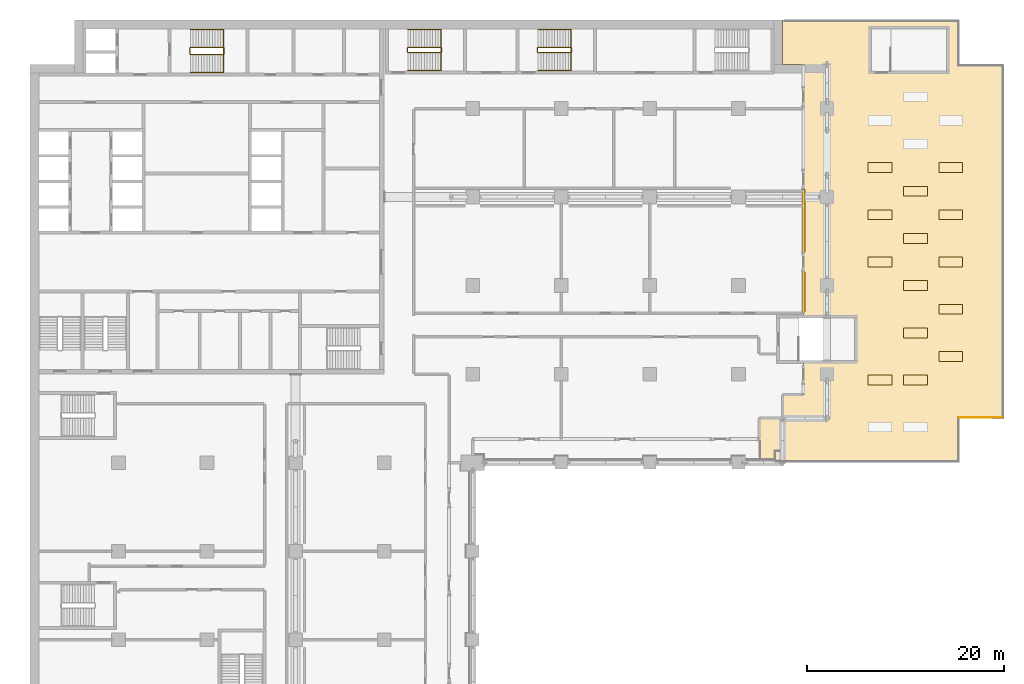
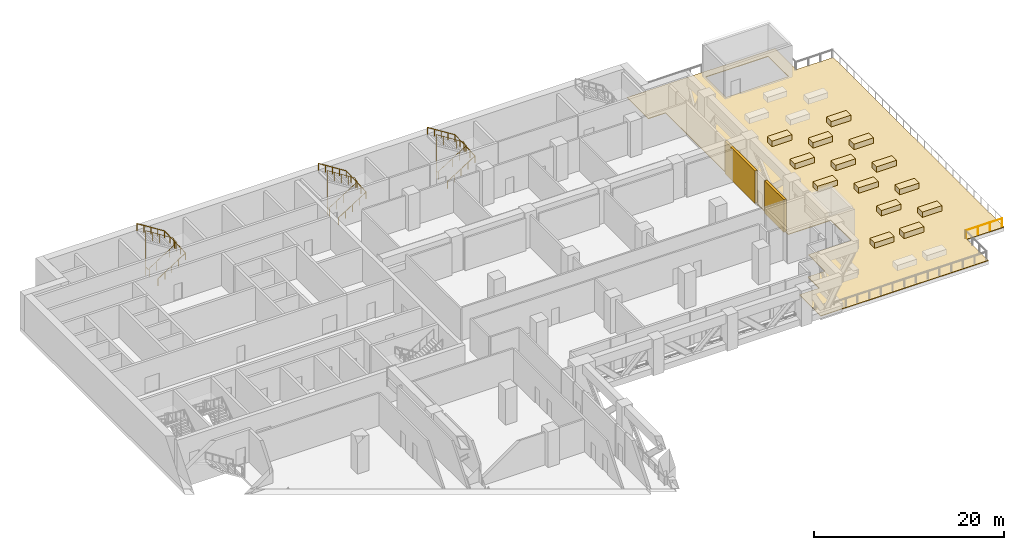
# One storey, part 23 of 24: 15 coverings, 7 railings, 2 shading devices.
"""IFC4 building model written with IfcOpenShell, lengths in metres."""

from ifc_helpers import new_model, si_unit, direction, frame, origin, origin_2d, place, context, subcontext, project, spatial, polyline, rectangle, circle, outline, extrude, material, layer, layer_set, type_object, element, save


model = new_model("IFC4")

# Units and contexts
model_context = context("Model", 3, precision=1e-05, world=origin(), true_north=direction((0.0, 1.0)))
body_context = subcontext(model_context, "Body", "Model", "MODEL_VIEW")
ifc_project = project(units=[si_unit("LENGTHUNIT", "METRE"), si_unit("AREAUNIT", "SQUARE_METRE"), si_unit("VOLUMEUNIT", "CUBIC_METRE"), si_unit("PLANEANGLEUNIT", "RADIAN"), si_unit("MASSUNIT", "GRAM", prefix="KILO")], contexts=[model_context])

# Site, building, storey
site_placement = place(None, origin())
site = spatial("IfcSite", under=ifc_project, at=site_placement, CompositionType="ELEMENT")
building_placement = place(site_placement, origin())
building = spatial("IfcBuilding", under=site, at=building_placement, Name="Hunhe Ridgeline Campus", CompositionType="ELEMENT")
storey_placement = place(building_placement, frame((0.0, 0.0, 80.199951171875)))
storey = spatial("IfcBuildingStorey", under=building, at=storey_placement, Name="L19", CompositionType="ELEMENT", Elevation=80.199951171875)

# Railing
ifc_material_1 = material(Name="Steel Q355", Category="steel")
railing_type_1 = type_object("IfcRailingType", Name="Loggia guard 1100 Steel Q355", PredefinedType="GUARDRAIL", material=ifc_material_1)
railing_1_placement = place(storey_placement, frame((98.840087890625, 58.6201171875, 0.080078125)))
element("IfcRailing", 1, at=railing_1_placement, inside=storey, type_object=railing_type_1, Name="Terrace guard 6", PredefinedType="GUARDRAIL", context=body_context, shape_type="SweptSolid", body=[
    extrude(circle(Radius=0.02392578125, at=origin_2d()), frame((0.0, 0.0, 1.076171875), z_axis=(-0.999999993897, -0.000110478925, 0.0), x_axis=(0.000110478925, -0.999999993897, 0.0)), (0.0, 0.0, 1.0), 4.419677734375),
    extrude(circle(Radius=0.02099609375, at=origin_2d()), origin(), (0.0, 0.0, 1.0), 1.052001953125),
    extrude(circle(Radius=0.02099609375, at=origin_2d()), frame((-1.47314453125, -0.000244140625, 0.0)), (0.0, 0.0, 1.0), 1.052001953125),
    extrude(circle(Radius=0.02099609375, at=origin_2d()), frame((-2.946533203125, -0.000244140625, 0.0)), (0.0, 0.0, 1.0), 1.052001953125),
    extrude(circle(Radius=0.02099609375, at=origin_2d()), frame((-4.419677734375, -0.00048828125, 0.0)), (0.0, 0.0, 1.0), 1.052001953125),
])

# Shading devices
ifc_material_2 = material(Name="Aluminium 6063", Category="aluminium")
ifc_layer_1 = layer(ifc_material_2, 0.300048828125)
ifc_layer_set_1 = layer_set([ifc_layer_1], Name="Louvre bank 300 Aluminium 6063")
shading_device_type = type_object("IfcShadingDeviceType", Name="Louvre bank 300 Aluminium 6063", PredefinedType="USERDEFINED", material=ifc_layer_set_1)
shading_device_1_placement = place(storey_placement, frame((78.59912109375, 71.350341796875, 0.0), z_axis=(0.0, 0.0, 1.0), x_axis=(0.0, 1.0, 0.0)))
element("IfcShadingDevice", 2, at=shading_device_1_placement, inside=storey, type_object=shading_device_type, Name="Louvre bank 26", ObjectType="LOUVRE", PredefinedType="USERDEFINED", context=body_context, shape_type="SweptSolid", body=[
    extrude(rectangle(XDim=4.060546875, YDim=0.300048828125, at=origin_2d()), origin(), (0.0, 0.0, 1.0), 4.199951171875),
])
shading_device_2_placement = place(storey_placement, frame((78.59912109375, 78.6005859375, 0.0), z_axis=(0.0, 0.0, 1.0), x_axis=(0.0, 1.0, 0.0)))
element("IfcShadingDevice", 3, at=shading_device_2_placement, inside=storey, type_object=shading_device_type, Name="Louvre bank 27", ObjectType="LOUVRE", PredefinedType="USERDEFINED", context=body_context, shape_type="SweptSolid", body=[
    extrude(rectangle(XDim=6.35986328125, YDim=0.300048828125, at=origin_2d()), origin(), (0.0, 0.0, 1.0), 4.199951171875),
])

# Coverings
ifc_material_3 = material(Name="Planting soil")
covering_type_1 = type_object("IfcCoveringType", Name="Planter box 700 planting soil", PredefinedType="USERDEFINED", material=ifc_material_3)
covering_1_placement = place(storey_placement, frame((0.0, 0.0, 0.080078125)))
element("IfcCovering", 4, at=covering_1_placement, inside=storey, type_object=covering_type_1, Name="Planter 2", ObjectType="PLANTER", PredefinedType="USERDEFINED", context=body_context, shape_type="SweptSolid", body=[
    extrude(outline(polyline([(85.199951171875, 61.89990234375), (87.60009765625, 61.89990234375), (87.60009765625, 62.89990234375), (85.199951171875, 62.89990234375), (85.199951171875, 61.89990234375)])), origin(), (0.0, 0.0, 1.0), 0.699951171875),
])
covering_2_placement = place(storey_placement, frame((0.0, 0.0, 0.080078125)))
element("IfcCovering", 5, at=covering_2_placement, inside=storey, type_object=covering_type_1, Name="Planter 3", ObjectType="PLANTER", PredefinedType="USERDEFINED", context=body_context, shape_type="SweptSolid", body=[
    extrude(outline(polyline([(85.199951171875, 73.89990234375), (87.60009765625, 73.89990234375), (87.60009765625, 74.89990234375), (85.199951171875, 74.89990234375), (85.199951171875, 73.89990234375)])), origin(), (0.0, 0.0, 1.0), 0.699951171875),
])
covering_3_placement = place(storey_placement, frame((0.0, 0.0, 0.080078125)))
element("IfcCovering", 6, at=covering_3_placement, inside=storey, type_object=covering_type_1, Name="Planter 4", ObjectType="PLANTER", PredefinedType="USERDEFINED", context=body_context, shape_type="SweptSolid", body=[
    extrude(outline(polyline([(85.199951171875, 78.699951171875), (87.60009765625, 78.699951171875), (87.60009765625, 79.699951171875), (85.199951171875, 79.699951171875), (85.199951171875, 78.699951171875)])), origin(), (0.0, 0.0, 1.0), 0.699951171875),
])
covering_4_placement = place(storey_placement, frame((0.0, 0.0, 0.080078125)))
element("IfcCovering", 7, at=covering_4_placement, inside=storey, type_object=covering_type_1, Name="Planter 5", ObjectType="PLANTER", PredefinedType="USERDEFINED", context=body_context, shape_type="SweptSolid", body=[
    extrude(outline(polyline([(85.199951171875, 83.5), (87.60009765625, 83.5), (87.60009765625, 84.5), (85.199951171875, 84.5), (85.199951171875, 83.5)])), origin(), (0.0, 0.0, 1.0), 0.699951171875),
])
covering_5_placement = place(storey_placement, frame((0.0, 0.0, 0.080078125)))
element("IfcCovering", 8, at=covering_5_placement, inside=storey, type_object=covering_type_1, Name="Planter 8", ObjectType="PLANTER", PredefinedType="USERDEFINED", context=body_context, shape_type="SweptSolid", body=[
    extrude(outline(polyline([(88.800048828125, 61.89990234375), (91.199951171875, 61.89990234375), (91.199951171875, 62.89990234375), (88.800048828125, 62.89990234375), (88.800048828125, 61.89990234375)])), origin(), (0.0, 0.0, 1.0), 0.699951171875),
])
covering_6_placement = place(storey_placement, frame((0.0, 0.0, 0.080078125)))
element("IfcCovering", 9, at=covering_6_placement, inside=storey, type_object=covering_type_1, Name="Planter 9", ObjectType="PLANTER", PredefinedType="USERDEFINED", context=body_context, shape_type="SweptSolid", body=[
    extrude(outline(polyline([(88.800048828125, 66.699951171875), (91.199951171875, 66.699951171875), (91.199951171875, 67.699951171875), (88.800048828125, 67.699951171875), (88.800048828125, 66.699951171875)])), origin(), (0.0, 0.0, 1.0), 0.699951171875),
])
covering_7_placement = place(storey_placement, frame((0.0, 0.0, 0.080078125)))
element("IfcCovering", 10, at=covering_7_placement, inside=storey, type_object=covering_type_1, Name="Planter 10", ObjectType="PLANTER", PredefinedType="USERDEFINED", context=body_context, shape_type="SweptSolid", body=[
    extrude(outline(polyline([(88.800048828125, 71.5), (91.199951171875, 71.5), (91.199951171875, 72.5), (88.800048828125, 72.5), (88.800048828125, 71.5)])), origin(), (0.0, 0.0, 1.0), 0.699951171875),
])
covering_8_placement = place(storey_placement, frame((0.0, 0.0, 0.080078125)))
element("IfcCovering", 11, at=covering_8_placement, inside=storey, type_object=covering_type_1, Name="Planter 11", ObjectType="PLANTER", PredefinedType="USERDEFINED", context=body_context, shape_type="SweptSolid", body=[
    extrude(outline(polyline([(88.800048828125, 76.300048828125), (91.199951171875, 76.300048828125), (91.199951171875, 77.300048828125), (88.800048828125, 77.300048828125), (88.800048828125, 76.300048828125)])), origin(), (0.0, 0.0, 1.0), 0.699951171875),
])
covering_9_placement = place(storey_placement, frame((0.0, 0.0, 0.080078125)))
element("IfcCovering", 12, at=covering_9_placement, inside=storey, type_object=covering_type_1, Name="Planter 12", ObjectType="PLANTER", PredefinedType="USERDEFINED", context=body_context, shape_type="SweptSolid", body=[
    extrude(outline(polyline([(88.800048828125, 81.10009765625), (91.199951171875, 81.10009765625), (91.199951171875, 82.10009765625), (88.800048828125, 82.10009765625), (88.800048828125, 81.10009765625)])), origin(), (0.0, 0.0, 1.0), 0.699951171875),
])
covering_10_placement = place(storey_placement, frame((0.0, 0.0, 0.080078125)))
element("IfcCovering", 13, at=covering_10_placement, inside=storey, type_object=covering_type_1, Name="Planter 15", ObjectType="PLANTER", PredefinedType="USERDEFINED", context=body_context, shape_type="SweptSolid", body=[
    extrude(outline(polyline([(92.39990234375, 64.300048828125), (94.800048828125, 64.300048828125), (94.800048828125, 65.300048828125), (92.39990234375, 65.300048828125), (92.39990234375, 64.300048828125)])), origin(), (0.0, 0.0, 1.0), 0.699951171875),
])
covering_11_placement = place(storey_placement, frame((0.0, 0.0, 0.080078125)))
element("IfcCovering", 14, at=covering_11_placement, inside=storey, type_object=covering_type_1, Name="Planter 16", ObjectType="PLANTER", PredefinedType="USERDEFINED", context=body_context, shape_type="SweptSolid", body=[
    extrude(outline(polyline([(92.39990234375, 69.10009765625), (94.800048828125, 69.10009765625), (94.800048828125, 70.10009765625), (92.39990234375, 70.10009765625), (92.39990234375, 69.10009765625)])), origin(), (0.0, 0.0, 1.0), 0.699951171875),
])
covering_12_placement = place(storey_placement, frame((0.0, 0.0, 0.080078125)))
element("IfcCovering", 15, at=covering_12_placement, inside=storey, type_object=covering_type_1, Name="Planter 17", ObjectType="PLANTER", PredefinedType="USERDEFINED", context=body_context, shape_type="SweptSolid", body=[
    extrude(outline(polyline([(92.39990234375, 73.89990234375), (94.800048828125, 73.89990234375), (94.800048828125, 74.89990234375), (92.39990234375, 74.89990234375), (92.39990234375, 73.89990234375)])), origin(), (0.0, 0.0, 1.0), 0.699951171875),
])
covering_13_placement = place(storey_placement, frame((0.0, 0.0, 0.080078125)))
element("IfcCovering", 16, at=covering_13_placement, inside=storey, type_object=covering_type_1, Name="Planter 18", ObjectType="PLANTER", PredefinedType="USERDEFINED", context=body_context, shape_type="SweptSolid", body=[
    extrude(outline(polyline([(92.39990234375, 78.699951171875), (94.800048828125, 78.699951171875), (94.800048828125, 79.699951171875), (92.39990234375, 79.699951171875), (92.39990234375, 78.699951171875)])), origin(), (0.0, 0.0, 1.0), 0.699951171875),
])
covering_14_placement = place(storey_placement, frame((0.0, 0.0, 0.080078125)))
element("IfcCovering", 17, at=covering_14_placement, inside=storey, type_object=covering_type_1, Name="Planter 19", ObjectType="PLANTER", PredefinedType="USERDEFINED", context=body_context, shape_type="SweptSolid", body=[
    extrude(outline(polyline([(92.39990234375, 83.5), (94.800048828125, 83.5), (94.800048828125, 84.5), (92.39990234375, 84.5), (92.39990234375, 83.5)])), origin(), (0.0, 0.0, 1.0), 0.699951171875),
])

# Railings
ifc_material_4 = material(Name="Stainless steel balustrade", Category="steel")
railing_type_2 = type_object("IfcRailingType", Name="Stair guard 1100 stainless", PredefinedType="GUARDRAIL", material=ifc_material_4)
railing_2_placement = place(storey_placement, frame((16.300048828125, 95.5, 0.177001953125)))
element("IfcRailing", 18, at=railing_2_placement, inside=storey, type_object=railing_type_2, Name="L19 stair S1 guard", PredefinedType="GUARDRAIL", context=body_context, shape_type="SweptSolid", body=[
    extrude(circle(Radius=0.02392578125, at=origin_2d()), frame((0.0, 0.0, 1.076171875), z_axis=(0.845372108799, 0.0, 0.534177870812), x_axis=(0.0, 1.0, 0.0)), (0.0, 0.0, 1.0), 3.974365234375),
    extrude(circle(Radius=0.02392578125, at=origin_2d()), frame((3.35986328125, 0.0, 3.19921875), z_axis=(0.707106781187, 0.707106781187, 0.0), x_axis=(-0.707106781187, 0.707106781187, 0.0)), (0.0, 0.0, 1.0), 0.07080078125),
    extrude(circle(Radius=0.02392578125, at=origin_2d()), frame((3.409912109375, 0.050048828125, 3.19921875), z_axis=(0.0, 1.0, 0.0), x_axis=(-1.0, 0.0, 0.0)), (0.0, 0.0, 1.0), 0.599853515625),
    extrude(circle(Radius=0.02392578125, at=origin_2d()), frame((3.409912109375, 0.64990234375, 3.19921875), z_axis=(-0.262545553595, 0.262545553595, 0.928514762713), x_axis=(-0.707106781187, -0.707106781187, 0.0)), (0.0, 0.0, 1.0), 0.190673828125),
    extrude(circle(Radius=0.02392578125, at=origin_2d()), frame((3.35986328125, 0.699951171875, 3.3759765625), z_axis=(-0.845372108799, 0.0, 0.534177870812), x_axis=(0.0, -1.0, 0.0)), (0.0, 0.0, 1.0), 3.974365234375),
    extrude(circle(Radius=0.02392578125, at=origin_2d()), frame((0.0, 0.699951171875, 5.4990234375), z_axis=(-0.010878661383, -0.010878661383, -0.999881647723), x_axis=(0.707106781187, -0.707106781187, 0.0)), (0.0, 0.0, 1.0), 4.6005859375),
    extrude(circle(Radius=0.02392578125, at=origin_2d()), frame((-0.050048828125, 0.64990234375, 0.89892578125), z_axis=(0.0, -1.0, 0.0), x_axis=(1.0, 0.0, 0.0)), (0.0, 0.0, 1.0), 0.599853515625),
    extrude(circle(Radius=0.02099609375, at=origin_2d()), origin(), (0.0, 0.0, 1.0), 1.052001953125),
    extrude(circle(Radius=0.02099609375, at=origin_2d()), frame((0.83984375, 0.0, 0.53076171875)), (0.0, 0.0, 1.0), 1.052001953125),
    extrude(circle(Radius=0.02099609375, at=origin_2d()), frame((1.679931640625, 0.0, 1.0615234375)), (0.0, 0.0, 1.0), 1.052001953125),
    extrude(circle(Radius=0.02099609375, at=origin_2d()), frame((2.52001953125, 0.0, 1.59228515625)), (0.0, 0.0, 1.0), 1.052001953125),
    extrude(circle(Radius=0.02099609375, at=origin_2d()), frame((3.35986328125, 0.0, 2.123046875)), (0.0, 0.0, 1.0), 1.052001953125),
    extrude(circle(Radius=0.02099609375, at=origin_2d()), frame((3.409912109375, 0.050048828125, 2.123046875)), (0.0, 0.0, 1.0), 1.052001953125),
    extrude(circle(Radius=0.02099609375, at=origin_2d()), frame((3.409912109375, 0.64990234375, 2.123046875)), (0.0, 0.0, 1.0), 1.052001953125),
    extrude(circle(Radius=0.02099609375, at=origin_2d()), frame((3.35986328125, 0.699951171875, 2.300048828125)), (0.0, 0.0, 1.0), 1.052001953125),
    extrude(circle(Radius=0.02099609375, at=origin_2d()), frame((2.52001953125, 0.699951171875, 2.830810546875)), (0.0, 0.0, 1.0), 1.052001953125),
    extrude(circle(Radius=0.02099609375, at=origin_2d()), frame((1.679931640625, 0.699951171875, 3.361572265625)), (0.0, 0.0, 1.0), 1.052001953125),
    extrude(circle(Radius=0.02099609375, at=origin_2d()), frame((0.83984375, 0.699951171875, 3.892333984375)), (0.0, 0.0, 1.0), 1.052001953125),
    extrude(circle(Radius=0.02099609375, at=origin_2d()), frame((0.0, 0.699951171875, 4.423095703125)), (0.0, 0.0, 1.0), 1.052001953125),
    extrude(circle(Radius=0.02099609375, at=origin_2d()), frame((-0.012451171875, 0.6875, 3.27294921875)), (0.0, 0.0, 1.0), 1.052001953125),
    extrude(circle(Radius=0.02099609375, at=origin_2d()), frame((-0.02490234375, 0.6748046875, 2.123046875)), (0.0, 0.0, 1.0), 1.052001953125),
    extrude(circle(Radius=0.02099609375, at=origin_2d()), frame((-0.03759765625, 0.662353515625, 0.97314453125)), (0.0, 0.0, 1.0), 1.052001953125),
    extrude(circle(Radius=0.02099609375, at=origin_2d()), frame((-0.050048828125, 0.64990234375, -0.177001953125)), (0.0, 0.0, 1.0), 1.052001953125),
    extrude(circle(Radius=0.02099609375, at=origin_2d()), frame((-0.050048828125, 0.050048828125, -0.177001953125)), (0.0, 0.0, 1.0), 1.052001953125),
])
railing_3_placement = place(storey_placement, frame((38.39990234375, 95.699951171875, 0.177001953125)))
element("IfcRailing", 19, at=railing_3_placement, inside=storey, type_object=railing_type_2, Name="L19 stair E1 guard", PredefinedType="GUARDRAIL", context=body_context, shape_type="SweptSolid", body=[
    extrude(circle(Radius=0.02392578125, at=origin_2d()), frame((0.0, 0.0, 1.076171875), z_axis=(0.845389635667, 0.0, 0.534150132366), x_axis=(0.0, 1.0, 0.0)), (0.0, 0.0, 1.0), 3.974609375),
    extrude(circle(Radius=0.02392578125, at=origin_2d()), frame((3.360107421875, 0.0, 3.19921875), z_axis=(0.707106781187, 0.707106781187, 0.0), x_axis=(-0.707106781187, 0.707106781187, 0.0)), (0.0, 0.0, 1.0), 0.07080078125),
    extrude(circle(Radius=0.02392578125, at=origin_2d()), frame((3.41015625, 0.050048828125, 3.19921875), z_axis=(0.0, 1.0, 0.0), x_axis=(-1.0, 0.0, 0.0)), (0.0, 0.0, 1.0), 0.39990234375),
    extrude(circle(Radius=0.02392578125, at=origin_2d()), frame((3.41015625, 0.449951171875, 3.19921875), z_axis=(-0.262545553595, 0.262545553595, 0.928514762713), x_axis=(-0.707106781187, -0.707106781187, 0.0)), (0.0, 0.0, 1.0), 0.190673828125),
    extrude(circle(Radius=0.02392578125, at=origin_2d()), frame((3.360107421875, 0.5, 3.3759765625), z_axis=(-0.845389635667, 0.0, 0.534150132366), x_axis=(0.0, -1.0, 0.0)), (0.0, 0.0, 1.0), 3.974609375),
    extrude(circle(Radius=0.02392578125, at=origin_2d()), frame((0.0, 0.5, 5.4990234375), z_axis=(-0.010825600977, -0.010878667648, -0.999882223541), x_axis=(0.708833529934, -0.705375805398, 0.0)), (0.0, 0.0, 1.0), 4.6005859375),
    extrude(circle(Radius=0.02392578125, at=origin_2d()), frame((-0.0498046875, 0.449951171875, 0.89892578125), z_axis=(0.0, -1.0, 0.0), x_axis=(1.0, 0.0, 0.0)), (0.0, 0.0, 1.0), 0.39990234375),
    extrude(circle(Radius=0.02099609375, at=origin_2d()), origin(), (0.0, 0.0, 1.0), 1.052001953125),
    extrude(circle(Radius=0.02099609375, at=origin_2d()), frame((0.840087890625, 0.0, 0.53076171875)), (0.0, 0.0, 1.0), 1.052001953125),
    extrude(circle(Radius=0.02099609375, at=origin_2d()), frame((1.68017578125, 0.0, 1.0615234375)), (0.0, 0.0, 1.0), 1.052001953125),
    extrude(circle(Radius=0.02099609375, at=origin_2d()), frame((2.52001953125, 0.0, 1.59228515625)), (0.0, 0.0, 1.0), 1.052001953125),
    extrude(circle(Radius=0.02099609375, at=origin_2d()), frame((3.360107421875, 0.0, 2.123046875)), (0.0, 0.0, 1.0), 1.052001953125),
    extrude(circle(Radius=0.02099609375, at=origin_2d()), frame((3.41015625, 0.050048828125, 2.123046875)), (0.0, 0.0, 1.0), 1.052001953125),
    extrude(circle(Radius=0.02099609375, at=origin_2d()), frame((3.41015625, 0.449951171875, 2.123046875)), (0.0, 0.0, 1.0), 1.052001953125),
    extrude(circle(Radius=0.02099609375, at=origin_2d()), frame((3.360107421875, 0.5, 2.300048828125)), (0.0, 0.0, 1.0), 1.052001953125),
    extrude(circle(Radius=0.02099609375, at=origin_2d()), frame((2.52001953125, 0.5, 2.830810546875)), (0.0, 0.0, 1.0), 1.052001953125),
    extrude(circle(Radius=0.02099609375, at=origin_2d()), frame((1.68017578125, 0.5, 3.361572265625)), (0.0, 0.0, 1.0), 1.052001953125),
    extrude(circle(Radius=0.02099609375, at=origin_2d()), frame((0.840087890625, 0.5, 3.892333984375)), (0.0, 0.0, 1.0), 1.052001953125),
    extrude(circle(Radius=0.02099609375, at=origin_2d()), frame((0.0, 0.5, 4.423095703125)), (0.0, 0.0, 1.0), 1.052001953125),
    extrude(circle(Radius=0.02099609375, at=origin_2d()), frame((-0.012451171875, 0.487548828125, 3.27294921875)), (0.0, 0.0, 1.0), 1.052001953125),
    extrude(circle(Radius=0.02099609375, at=origin_2d()), frame((-0.02490234375, 0.47509765625, 2.123046875)), (0.0, 0.0, 1.0), 1.052001953125),
    extrude(circle(Radius=0.02099609375, at=origin_2d()), frame((-0.037353515625, 0.46240234375, 0.97314453125)), (0.0, 0.0, 1.0), 1.052001953125),
    extrude(circle(Radius=0.02099609375, at=origin_2d()), frame((-0.0498046875, 0.449951171875, -0.177001953125)), (0.0, 0.0, 1.0), 1.052001953125),
    extrude(circle(Radius=0.02099609375, at=origin_2d()), frame((-0.0498046875, 0.050048828125, -0.177001953125)), (0.0, 0.0, 1.0), 1.052001953125),
])
railing_4_placement = place(storey_placement, frame((51.64990234375, 95.699951171875, 0.177001953125)))
element("IfcRailing", 20, at=railing_4_placement, inside=storey, type_object=railing_type_2, Name="L19 stair E2 guard", PredefinedType="GUARDRAIL", context=body_context, shape_type="SweptSolid", body=[
    extrude(circle(Radius=0.02392578125, at=origin_2d()), frame((0.0, 0.0, 1.076171875), z_axis=(0.845389635667, 0.0, 0.534150132366), x_axis=(0.0, 1.0, 0.0)), (0.0, 0.0, 1.0), 3.974609375),
    extrude(circle(Radius=0.02392578125, at=origin_2d()), frame((3.360107421875, 0.0, 3.19921875), z_axis=(0.707106781187, 0.707106781187, 0.0), x_axis=(-0.707106781187, 0.707106781187, 0.0)), (0.0, 0.0, 1.0), 0.07080078125),
    extrude(circle(Radius=0.02392578125, at=origin_2d()), frame((3.41015625, 0.050048828125, 3.19921875), z_axis=(0.0, 1.0, 0.0), x_axis=(-1.0, 0.0, 0.0)), (0.0, 0.0, 1.0), 0.39990234375),
    extrude(circle(Radius=0.02392578125, at=origin_2d()), frame((3.41015625, 0.449951171875, 3.19921875), z_axis=(-0.262545553595, 0.262545553595, 0.928514762713), x_axis=(-0.707106781187, -0.707106781187, 0.0)), (0.0, 0.0, 1.0), 0.190673828125),
    extrude(circle(Radius=0.02392578125, at=origin_2d()), frame((3.360107421875, 0.5, 3.3759765625), z_axis=(-0.845389635667, 0.0, 0.534150132366), x_axis=(0.0, -1.0, 0.0)), (0.0, 0.0, 1.0), 3.974609375),
    extrude(circle(Radius=0.02392578125, at=origin_2d()), frame((0.0, 0.5, 5.4990234375), z_axis=(-0.010825600977, -0.010878667648, -0.999882223541), x_axis=(0.708833529934, -0.705375805398, 0.0)), (0.0, 0.0, 1.0), 4.6005859375),
    extrude(circle(Radius=0.02392578125, at=origin_2d()), frame((-0.0498046875, 0.449951171875, 0.89892578125), z_axis=(0.0, -1.0, 0.0), x_axis=(1.0, 0.0, 0.0)), (0.0, 0.0, 1.0), 0.39990234375),
    extrude(circle(Radius=0.02099609375, at=origin_2d()), origin(), (0.0, 0.0, 1.0), 1.052001953125),
    extrude(circle(Radius=0.02099609375, at=origin_2d()), frame((0.840087890625, 0.0, 0.53076171875)), (0.0, 0.0, 1.0), 1.052001953125),
    extrude(circle(Radius=0.02099609375, at=origin_2d()), frame((1.68017578125, 0.0, 1.0615234375)), (0.0, 0.0, 1.0), 1.052001953125),
    extrude(circle(Radius=0.02099609375, at=origin_2d()), frame((2.52001953125, 0.0, 1.59228515625)), (0.0, 0.0, 1.0), 1.052001953125),
    extrude(circle(Radius=0.02099609375, at=origin_2d()), frame((3.360107421875, 0.0, 2.123046875)), (0.0, 0.0, 1.0), 1.052001953125),
    extrude(circle(Radius=0.02099609375, at=origin_2d()), frame((3.41015625, 0.050048828125, 2.123046875)), (0.0, 0.0, 1.0), 1.052001953125),
    extrude(circle(Radius=0.02099609375, at=origin_2d()), frame((3.41015625, 0.449951171875, 2.123046875)), (0.0, 0.0, 1.0), 1.052001953125),
    extrude(circle(Radius=0.02099609375, at=origin_2d()), frame((3.360107421875, 0.5, 2.300048828125)), (0.0, 0.0, 1.0), 1.052001953125),
    extrude(circle(Radius=0.02099609375, at=origin_2d()), frame((2.52001953125, 0.5, 2.830810546875)), (0.0, 0.0, 1.0), 1.052001953125),
    extrude(circle(Radius=0.02099609375, at=origin_2d()), frame((1.68017578125, 0.5, 3.361572265625)), (0.0, 0.0, 1.0), 1.052001953125),
    extrude(circle(Radius=0.02099609375, at=origin_2d()), frame((0.840087890625, 0.5, 3.892333984375)), (0.0, 0.0, 1.0), 1.052001953125),
    extrude(circle(Radius=0.02099609375, at=origin_2d()), frame((0.0, 0.5, 4.423095703125)), (0.0, 0.0, 1.0), 1.052001953125),
    extrude(circle(Radius=0.02099609375, at=origin_2d()), frame((-0.012451171875, 0.487548828125, 3.27294921875)), (0.0, 0.0, 1.0), 1.052001953125),
    extrude(circle(Radius=0.02099609375, at=origin_2d()), frame((-0.02490234375, 0.47509765625, 2.123046875)), (0.0, 0.0, 1.0), 1.052001953125),
    extrude(circle(Radius=0.02099609375, at=origin_2d()), frame((-0.037353515625, 0.46240234375, 0.97314453125)), (0.0, 0.0, 1.0), 1.052001953125),
    extrude(circle(Radius=0.02099609375, at=origin_2d()), frame((-0.0498046875, 0.449951171875, -0.177001953125)), (0.0, 0.0, 1.0), 1.052001953125),
    extrude(circle(Radius=0.02099609375, at=origin_2d()), frame((-0.0498046875, 0.050048828125, -0.177001953125)), (0.0, 0.0, 1.0), 1.052001953125),
])
ifc_material_5 = material(Name="Stainless steel handrail", Category="steel")
railing_type_3 = type_object("IfcRailingType", Name="Stair handrail 900 stainless", PredefinedType="HANDRAIL", material=ifc_material_5)
railing_5_placement = place(storey_placement, frame((16.300048828125, 93.64990234375, 0.177001953125)))
element("IfcRailing", 21, at=railing_5_placement, inside=storey, type_object=railing_type_3, Name="L19 stair S1 handrail", PredefinedType="HANDRAIL", context=body_context, shape_type="SweptSolid", body=[
    extrude(circle(Radius=0.02392578125, at=origin_2d()), frame((0.0, 0.0, 0.8759765625), z_axis=(0.845372108799, 0.0, 0.534177870812), x_axis=(0.0, 1.0, 0.0)), (0.0, 0.0, 1.0), 3.974365234375),
    extrude(circle(Radius=0.02392578125, at=origin_2d()), frame((3.35986328125, 0.0, 2.9990234375), z_axis=(0.0, 0.999191899876, 0.040193870466), x_axis=(-1.0, 0.0, 0.0)), (0.0, 0.0, 1.0), 4.40380859375),
    extrude(circle(Radius=0.02392578125, at=origin_2d()), frame((3.35986328125, 4.400146484375, 3.17578125), z_axis=(-0.845372108799, 0.0, 0.534177870812), x_axis=(0.0, -1.0, 0.0)), (0.0, 0.0, 1.0), 3.974365234375),
    extrude(circle(Radius=0.02099609375, at=origin_2d()), origin(), (0.0, 0.0, 1.0), 0.851806640625),
    extrude(circle(Radius=0.02099609375, at=origin_2d()), frame((0.83984375, 0.0, 0.53076171875)), (0.0, 0.0, 1.0), 0.851806640625),
    extrude(circle(Radius=0.02099609375, at=origin_2d()), frame((1.679931640625, 0.0, 1.0615234375)), (0.0, 0.0, 1.0), 0.851806640625),
    extrude(circle(Radius=0.02099609375, at=origin_2d()), frame((2.52001953125, 0.0, 1.59228515625)), (0.0, 0.0, 1.0), 0.851806640625),
    extrude(circle(Radius=0.02099609375, at=origin_2d()), frame((3.35986328125, 0.0, 2.123046875)), (0.0, 0.0, 1.0), 0.851806640625),
    extrude(circle(Radius=0.02099609375, at=origin_2d()), frame((3.35986328125, 1.10009765625, 2.167236328125)), (0.0, 0.0, 1.0), 0.851806640625),
    extrude(circle(Radius=0.02099609375, at=origin_2d()), frame((3.35986328125, 2.2001953125, 2.21142578125)), (0.0, 0.0, 1.0), 0.851806640625),
    extrude(circle(Radius=0.02099609375, at=origin_2d()), frame((3.35986328125, 3.300048828125, 2.255859375)), (0.0, 0.0, 1.0), 0.851806640625),
    extrude(circle(Radius=0.02099609375, at=origin_2d()), frame((3.35986328125, 4.400146484375, 2.300048828125)), (0.0, 0.0, 1.0), 0.851806640625),
    extrude(circle(Radius=0.02099609375, at=origin_2d()), frame((2.52001953125, 4.400146484375, 2.830810546875)), (0.0, 0.0, 1.0), 0.851806640625),
    extrude(circle(Radius=0.02099609375, at=origin_2d()), frame((1.679931640625, 4.400146484375, 3.361572265625)), (0.0, 0.0, 1.0), 0.851806640625),
    extrude(circle(Radius=0.02099609375, at=origin_2d()), frame((0.83984375, 4.400146484375, 3.892333984375)), (0.0, 0.0, 1.0), 0.851806640625),
    extrude(circle(Radius=0.02099609375, at=origin_2d()), frame((0.0, 4.400146484375, 4.423095703125)), (0.0, 0.0, 1.0), 0.851806640625),
])
railing_6_placement = place(storey_placement, frame((38.39990234375, 93.85009765625, 0.177001953125)))
element("IfcRailing", 22, at=railing_6_placement, inside=storey, type_object=railing_type_3, Name="L19 stair E1 handrail", PredefinedType="HANDRAIL", context=body_context, shape_type="SweptSolid", body=[
    extrude(circle(Radius=0.02392578125, at=origin_2d()), frame((0.0, 0.0, 0.8759765625), z_axis=(0.845389635667, 0.0, 0.534150132366), x_axis=(0.0, 1.0, 0.0)), (0.0, 0.0, 1.0), 3.974609375),
    extrude(circle(Radius=0.02392578125, at=origin_2d()), frame((3.360107421875, 0.0, 2.9990234375), z_axis=(0.0, 0.999113130752, 0.042106436075), x_axis=(-1.0, 0.0, 0.0)), (0.0, 0.0, 1.0), 4.20361328125),
    extrude(circle(Radius=0.02392578125, at=origin_2d()), frame((3.360107421875, 4.199951171875, 3.17578125), z_axis=(-0.845389635667, 0.0, 0.534150132366), x_axis=(0.0, -1.0, 0.0)), (0.0, 0.0, 1.0), 3.974609375),
    extrude(circle(Radius=0.02099609375, at=origin_2d()), origin(), (0.0, 0.0, 1.0), 0.851806640625),
    extrude(circle(Radius=0.02099609375, at=origin_2d()), frame((0.840087890625, 0.0, 0.53076171875)), (0.0, 0.0, 1.0), 0.851806640625),
    extrude(circle(Radius=0.02099609375, at=origin_2d()), frame((1.68017578125, 0.0, 1.0615234375)), (0.0, 0.0, 1.0), 0.851806640625),
    extrude(circle(Radius=0.02099609375, at=origin_2d()), frame((2.52001953125, 0.0, 1.59228515625)), (0.0, 0.0, 1.0), 0.851806640625),
    extrude(circle(Radius=0.02099609375, at=origin_2d()), frame((3.360107421875, 0.0, 2.123046875)), (0.0, 0.0, 1.0), 0.851806640625),
    extrude(circle(Radius=0.02099609375, at=origin_2d()), frame((3.360107421875, 1.050048828125, 2.167236328125)), (0.0, 0.0, 1.0), 0.851806640625),
    extrude(circle(Radius=0.02099609375, at=origin_2d()), frame((3.360107421875, 2.10009765625, 2.21142578125)), (0.0, 0.0, 1.0), 0.851806640625),
    extrude(circle(Radius=0.02099609375, at=origin_2d()), frame((3.360107421875, 3.14990234375, 2.255859375)), (0.0, 0.0, 1.0), 0.851806640625),
    extrude(circle(Radius=0.02099609375, at=origin_2d()), frame((3.360107421875, 4.199951171875, 2.300048828125)), (0.0, 0.0, 1.0), 0.851806640625),
    extrude(circle(Radius=0.02099609375, at=origin_2d()), frame((2.52001953125, 4.199951171875, 2.830810546875)), (0.0, 0.0, 1.0), 0.851806640625),
    extrude(circle(Radius=0.02099609375, at=origin_2d()), frame((1.68017578125, 4.199951171875, 3.361572265625)), (0.0, 0.0, 1.0), 0.851806640625),
    extrude(circle(Radius=0.02099609375, at=origin_2d()), frame((0.840087890625, 4.199951171875, 3.892333984375)), (0.0, 0.0, 1.0), 0.851806640625),
    extrude(circle(Radius=0.02099609375, at=origin_2d()), frame((0.0, 4.199951171875, 4.423095703125)), (0.0, 0.0, 1.0), 0.851806640625),
])
railing_7_placement = place(storey_placement, frame((51.64990234375, 93.85009765625, 0.177001953125)))
element("IfcRailing", 23, at=railing_7_placement, inside=storey, type_object=railing_type_3, Name="L19 stair E2 handrail", PredefinedType="HANDRAIL", context=body_context, shape_type="SweptSolid", body=[
    extrude(circle(Radius=0.02392578125, at=origin_2d()), frame((0.0, 0.0, 0.8759765625), z_axis=(0.845389635667, 0.0, 0.534150132366), x_axis=(0.0, 1.0, 0.0)), (0.0, 0.0, 1.0), 3.974609375),
    extrude(circle(Radius=0.02392578125, at=origin_2d()), frame((3.360107421875, 0.0, 2.9990234375), z_axis=(0.0, 0.999113130752, 0.042106436075), x_axis=(-1.0, 0.0, 0.0)), (0.0, 0.0, 1.0), 4.20361328125),
    extrude(circle(Radius=0.02392578125, at=origin_2d()), frame((3.360107421875, 4.199951171875, 3.17578125), z_axis=(-0.845389635667, 0.0, 0.534150132366), x_axis=(0.0, -1.0, 0.0)), (0.0, 0.0, 1.0), 3.974609375),
    extrude(circle(Radius=0.02099609375, at=origin_2d()), origin(), (0.0, 0.0, 1.0), 0.851806640625),
    extrude(circle(Radius=0.02099609375, at=origin_2d()), frame((0.840087890625, 0.0, 0.53076171875)), (0.0, 0.0, 1.0), 0.851806640625),
    extrude(circle(Radius=0.02099609375, at=origin_2d()), frame((1.68017578125, 0.0, 1.0615234375)), (0.0, 0.0, 1.0), 0.851806640625),
    extrude(circle(Radius=0.02099609375, at=origin_2d()), frame((2.52001953125, 0.0, 1.59228515625)), (0.0, 0.0, 1.0), 0.851806640625),
    extrude(circle(Radius=0.02099609375, at=origin_2d()), frame((3.360107421875, 0.0, 2.123046875)), (0.0, 0.0, 1.0), 0.851806640625),
    extrude(circle(Radius=0.02099609375, at=origin_2d()), frame((3.360107421875, 1.050048828125, 2.167236328125)), (0.0, 0.0, 1.0), 0.851806640625),
    extrude(circle(Radius=0.02099609375, at=origin_2d()), frame((3.360107421875, 2.10009765625, 2.21142578125)), (0.0, 0.0, 1.0), 0.851806640625),
    extrude(circle(Radius=0.02099609375, at=origin_2d()), frame((3.360107421875, 3.14990234375, 2.255859375)), (0.0, 0.0, 1.0), 0.851806640625),
    extrude(circle(Radius=0.02099609375, at=origin_2d()), frame((3.360107421875, 4.199951171875, 2.300048828125)), (0.0, 0.0, 1.0), 0.851806640625),
    extrude(circle(Radius=0.02099609375, at=origin_2d()), frame((2.52001953125, 4.199951171875, 2.830810546875)), (0.0, 0.0, 1.0), 0.851806640625),
    extrude(circle(Radius=0.02099609375, at=origin_2d()), frame((1.68017578125, 4.199951171875, 3.361572265625)), (0.0, 0.0, 1.0), 0.851806640625),
    extrude(circle(Radius=0.02099609375, at=origin_2d()), frame((0.840087890625, 4.199951171875, 3.892333984375)), (0.0, 0.0, 1.0), 0.851806640625),
    extrude(circle(Radius=0.02099609375, at=origin_2d()), frame((0.0, 4.199951171875, 4.423095703125)), (0.0, 0.0, 1.0), 0.851806640625),
])

# Covering
ifc_material_6 = material(Name="Precast concrete C30 paving", Category="concrete")
ifc_layer_2 = layer(ifc_material_6, 0.080078125)
ifc_layer_set_2 = layer_set([ifc_layer_2], Name="Terrace paving 80 Concrete C30 pavers")
covering_type_2 = type_object("IfcCoveringType", Name="Terrace paving 80 Concrete C30 pavers", PredefinedType="FLOORING", material=ifc_layer_set_2)
covering_15_placement = place(storey_placement, origin())
element("IfcCovering", 24, at=covering_15_placement, inside=storey, type_object=covering_type_2, Name="Terrace paving 1", PredefinedType="FLOORING", context=body_context, shape_type="SweptSolid", body=[
    extrude(outline(polyline([(74.10009765625, 54.0), (94.5, 54.0), (94.500244140625, 58.499755859375), (99.0, 58.5), (99.0, 94.5), (94.500244140625, 94.500244140625), (94.5, 99.0), (76.5, 99.0), (76.5, 94.5), (78.60009765625, 94.4990234375), (78.60009765625, 68.699951171875), (83.800048828125, 68.699951171875), (83.800048828125, 64.39990234375), (78.60009765625, 64.39990234375), (78.60009765625, 60.90087890625), (76.5, 60.89990234375), (76.49951171875, 58.5), (74.10009765625, 58.5), (74.10009765625, 54.0)]), holes=[polyline([(85.550048828125, 93.800048828125), (93.14990234375, 93.800048828125), (93.14990234375, 98.10009765625), (85.550048828125, 98.10009765625), (85.550048828125, 93.800048828125)])]), origin(), (0.0, 0.0, 1.0), 0.080078125),
])

save(model, "model.ifc")
